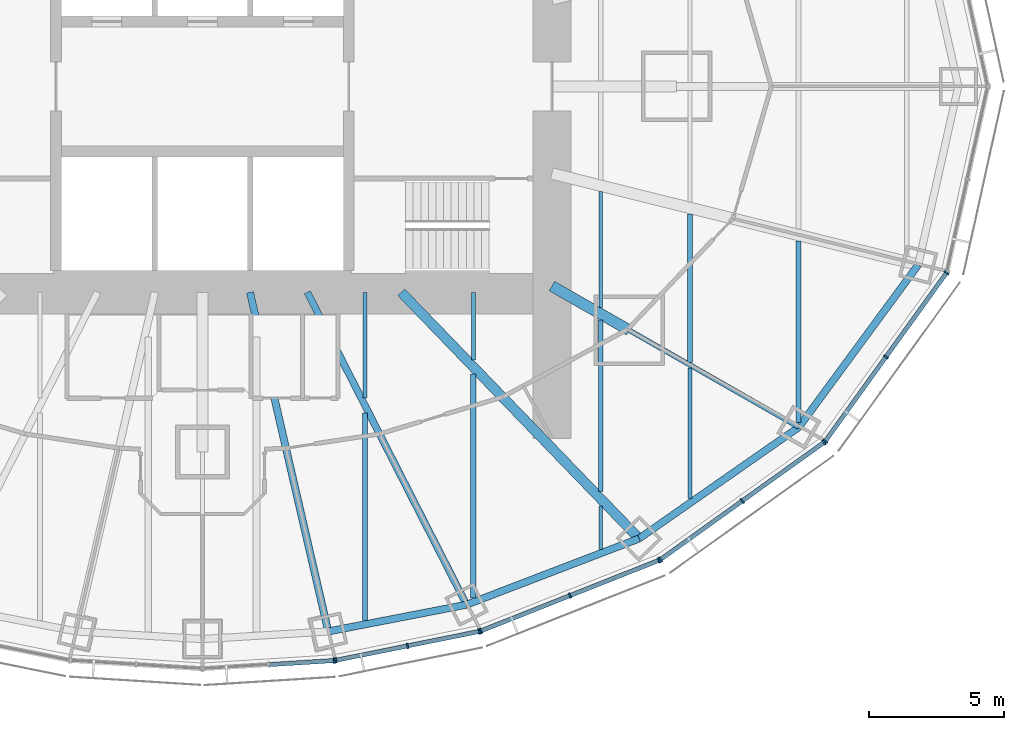
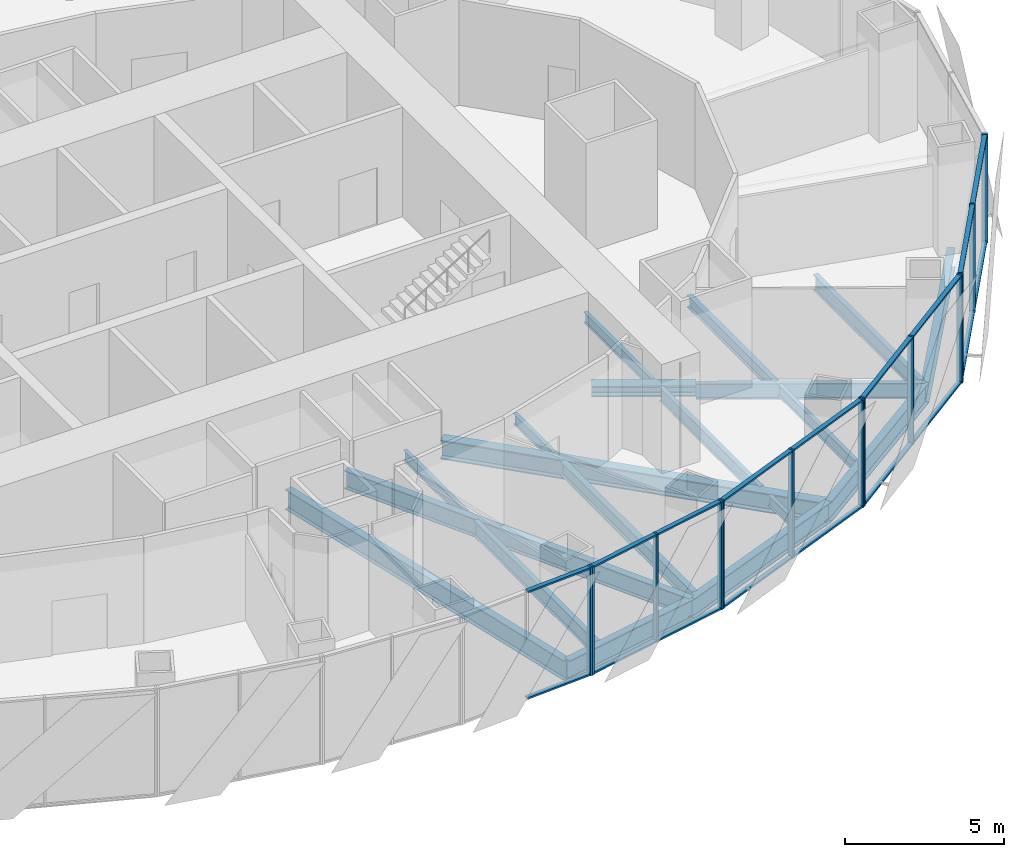
# One storey, part 5 of 18: 31 members, 19 beams, 5 elements without a shape of their own.
"""IFC4 building model written with IfcOpenShell, lengths in metres."""

from ifc_helpers import new_model, si_unit, direction, frame, origin, origin_2d, place, context, subcontext, project, spatial, rectangle, i_section, extrude, material, material_profile, profile_set, type_object, element, aggregate, save


model = new_model("IFC4")

# Units and contexts
model_context = context("Model", 3, precision=1e-05, world=origin(), true_north=direction((0.0, 1.0)))
body_context = subcontext(model_context, "Body", "Model", "MODEL_VIEW")
ifc_project = project(units=[si_unit("LENGTHUNIT", "METRE"), si_unit("AREAUNIT", "SQUARE_METRE"), si_unit("VOLUMEUNIT", "CUBIC_METRE"), si_unit("PLANEANGLEUNIT", "RADIAN"), si_unit("MASSUNIT", "GRAM", prefix="KILO")], contexts=[model_context])

# Site, building, storey
site_placement = place(None, origin())
site = spatial("IfcSite", under=ifc_project, at=site_placement, CompositionType="ELEMENT")
building_placement = place(site_placement, origin())
building = spatial("IfcBuilding", under=site, at=building_placement, Name="Lantaw Convention Tower", CompositionType="ELEMENT")
storey_placement = place(building_placement, frame((0.0, 0.0, 146.800048828125)))
storey = spatial("IfcBuildingStorey", under=building, at=storey_placement, Name="L34", CompositionType="ELEMENT", Elevation=146.800048828125)

# Beams
ifc_material_1 = material(Name="Steel ASTM A992", Category="steel")
ifc_material_profile_1 = material_profile(ifc_material_1, i_section(OverallWidth=0.2666015625, OverallDepth=0.76953125, WebThickness=0.015625, FlangeThickness=0.025390625, FilletRadius=0.0126953125, at=origin_2d()), Name="W30X132")
ifc_profile_set_1 = profile_set([ifc_material_profile_1], Name="Steel ASTM A992")
beam_type_1 = type_object("IfcBeamType", Name="Beam E W30X132", PredefinedType="SPANDREL", material=ifc_profile_set_1)
beam_1_placement = place(storey_placement, frame((4.64501953125, -20.1201171875, -0.534912109375), z_axis=(0.981796805654, 0.189934284446, 0.0), x_axis=(-0.189934284446, 0.981796805654, 0.0)))
element("IfcBeam", 1, at=beam_1_placement, inside=storey, type_object=beam_type_1, Name="Edge beam 20", PredefinedType="SPANDREL", context=body_context, shape_type="SweptSolid", body=[
    extrude(i_section(OverallWidth=0.2666015625, OverallDepth=0.76953125, WebThickness=0.015625, FlangeThickness=0.025390625, FilletRadius=0.0126953125, at=origin_2d()), origin(), (0.0, 0.0, 1.0), 5.1982421875),
])
beam_2_placement = place(storey_placement, frame((9.74853515625, -19.1328125, -0.534912109375), z_axis=(0.933691081977, 0.358079549033, 0.0), x_axis=(-0.358079549033, 0.933691081977, 0.0)))
element("IfcBeam", 2, at=beam_2_placement, inside=storey, type_object=beam_type_1, Name="Edge beam 21", PredefinedType="SPANDREL", context=body_context, shape_type="SweptSolid", body=[
    extrude(i_section(OverallWidth=0.2666015625, OverallDepth=0.76953125, WebThickness=0.015625, FlangeThickness=0.025390625, FilletRadius=0.0126953125, at=origin_2d()), origin(), (0.0, 0.0, 1.0), 6.821533203125),
])
beam_3_placement = place(storey_placement, frame((16.11767578125, -16.690185546875, -0.534912109375), z_axis=(0.820310765287, 0.57191804339, 0.0), x_axis=(-0.57191804339, 0.820310765287, 0.0)))
element("IfcBeam", 3, at=beam_3_placement, inside=storey, type_object=beam_type_1, Name="Edge beam 22", PredefinedType="SPANDREL", context=body_context, shape_type="SweptSolid", body=[
    extrude(i_section(OverallWidth=0.2666015625, OverallDepth=0.76953125, WebThickness=0.015625, FlangeThickness=0.025390625, FilletRadius=0.0126953125, at=origin_2d()), origin(), (0.0, 0.0, 1.0), 7.187744140625),
])
beam_4_placement = place(storey_placement, frame((22.013916015625, -12.579345703125, -0.534912109375), z_axis=(0.5923891972, 0.805651934176, 0.0), x_axis=(-0.805651934176, 0.5923891972, 0.0)))
element("IfcBeam", 4, at=beam_4_placement, inside=storey, type_object=beam_type_1, Name="Edge beam 23", PredefinedType="SPANDREL", context=body_context, shape_type="SweptSolid", body=[
    extrude(i_section(OverallWidth=0.2666015625, OverallDepth=0.76953125, WebThickness=0.015625, FlangeThickness=0.025390625, FilletRadius=0.0126953125, at=origin_2d()), origin(), (0.0, 0.0, 1.0), 7.437744140625),
])
ifc_material_profile_2 = material_profile(ifc_material_1, i_section(OverallWidth=0.177978515625, OverallDepth=0.599365234375, WebThickness=0.010009765625, FlangeThickness=0.012939453125, FilletRadius=0.012939453125, at=origin_2d()), Name="W24X55")
ifc_profile_set_2 = profile_set([ifc_material_profile_2], Name="Steel ASTM A992")
beam_type_2 = type_object("IfcBeamType", Name="Beam G W24X55", PredefinedType="BEAM", material=ifc_profile_set_2)
beam_5_placement = place(storey_placement, frame((15.75, -9.0, -0.44970703125), z_axis=(0.868245224608, -0.496135293993, 0.0), x_axis=(0.496135293993, 0.868245224608, 0.0)))
element("IfcBeam", 5, at=beam_5_placement, inside=storey, type_object=beam_type_2, Name="Floor girder on ray 23", PredefinedType="BEAM", context=body_context, shape_type="SweptSolid", body=[
    extrude(i_section(OverallWidth=0.177978515625, OverallDepth=0.599365234375, WebThickness=0.010009765625, FlangeThickness=0.012939453125, FilletRadius=0.012939453125, at=origin_2d()), origin(), (0.0, 0.0, 1.0), 7.21435546875),
])
ifc_material_profile_3 = material_profile(ifc_material_1, i_section(OverallWidth=0.25390625, OverallDepth=0.700927734375, WebThickness=0.015380859375, FlangeThickness=0.02783203125, FilletRadius=0.01513671875, at=origin_2d()), Name="W27X129")
ifc_profile_set_3 = profile_set([ifc_material_profile_3], Name="Steel ASTM A992")
beam_type_3 = type_object("IfcBeamType", Name="Beam G W27X129", PredefinedType="BEAM", material=ifc_profile_set_3)
beam_6_placement = place(storey_placement, frame((3.872314453125, -7.60009765625, -0.50048828125), z_axis=(0.453991051051, -0.891006243281, 0.0), x_axis=(0.891006243281, 0.453991051051, 0.0)))
element("IfcBeam", 6, at=beam_6_placement, inside=storey, type_object=beam_type_3, Name="Floor girder on ray 21", PredefinedType="BEAM", context=body_context, shape_type="SweptSolid", body=[
    extrude(i_section(OverallWidth=0.25390625, OverallDepth=0.700927734375, WebThickness=0.015380859375, FlangeThickness=0.02783203125, FilletRadius=0.01513671875, at=origin_2d()), origin(), (0.0, 0.0, 1.0), 12.943359375),
])
ifc_material_profile_4 = material_profile(ifc_material_1, i_section(OverallWidth=0.360595703125, OverallDepth=0.72900390625, WebThickness=0.023193359375, FlangeThickness=0.041015625, FilletRadius=0.0126953125, at=origin_2d()), Name="W27X235")
ifc_profile_set_4 = profile_set([ifc_material_profile_4], Name="Steel ASTM A992")
beam_type_4 = type_object("IfcBeamType", Name="Beam G W27X235", PredefinedType="BEAM", material=ifc_profile_set_4)
beam_7_placement = place(storey_placement, frame((7.33935546875, -7.60009765625, -0.5146484375), z_axis=(0.694663467407, -0.719334878239, 0.0), x_axis=(0.719334878239, 0.694663467407, 0.0)))
element("IfcBeam", 7, at=beam_7_placement, inside=storey, type_object=beam_type_4, Name="Floor girder on ray 22", PredefinedType="BEAM", context=body_context, shape_type="SweptSolid", body=[
    extrude(i_section(OverallWidth=0.360595703125, OverallDepth=0.72900390625, WebThickness=0.023193359375, FlangeThickness=0.041015625, FilletRadius=0.0126953125, at=origin_2d()), origin(), (0.0, 0.0, 1.0), 12.63671875),
])
ifc_material_profile_5 = material_profile(ifc_material_1, i_section(OverallWidth=0.2666015625, OverallDepth=0.7568359375, WebThickness=0.013916015625, FlangeThickness=0.019287109375, FilletRadius=0.0126953125, at=origin_2d()), Name="W30X108")
ifc_profile_set_5 = profile_set([ifc_material_profile_5], Name="Steel ASTM A992")
beam_type_5 = type_object("IfcBeamType", Name="Beam G W30X108", PredefinedType="BEAM", material=ifc_profile_set_5)
beam_8_placement = place(storey_placement, frame((1.754638671875, -7.60009765625, -0.528564453125), z_axis=(0.224944153104, -0.974371658036, 0.0), x_axis=(0.974371658036, 0.224944153104, 0.0)))
element("IfcBeam", 8, at=beam_8_placement, inside=storey, type_object=beam_type_5, Name="Floor girder on ray 20", PredefinedType="BEAM", context=body_context, shape_type="SweptSolid", body=[
    extrude(i_section(OverallWidth=0.2666015625, OverallDepth=0.7568359375, WebThickness=0.013916015625, FlangeThickness=0.019287109375, FilletRadius=0.0126953125, at=origin_2d()), origin(), (0.0, 0.0, 1.0), 12.849365234375),
])
ifc_material_profile_6 = material_profile(ifc_material_1, i_section(OverallWidth=0.40380859375, OverallDepth=0.406494140625, WebThickness=0.027099609375, FlangeThickness=0.043701171875, FilletRadius=0.01513671875, at=origin_2d()), Name="W14X233")
ifc_profile_set_6 = profile_set([ifc_material_profile_6], Name="Steel ASTM A992")
beam_type_6 = type_object("IfcBeamType", Name="Beam GM W14X233", PredefinedType="BEAM", material=ifc_profile_set_6)
beam_9_placement = place(storey_placement, frame((12.89990234375, -7.371337890625, -0.353271484375), z_axis=(0.868238565244, -0.496146947811, 0.0), x_axis=(0.496146947811, 0.868238565244, 0.0)))
element("IfcBeam", 9, at=beam_9_placement, inside=storey, type_object=beam_type_6, Name="Core link beam on ray 23", PredefinedType="BEAM", context=body_context, shape_type="SweptSolid", body=[
    extrude(i_section(OverallWidth=0.40380859375, OverallDepth=0.406494140625, WebThickness=0.027099609375, FlangeThickness=0.043701171875, FilletRadius=0.01513671875, at=origin_2d()), origin(), (0.0, 0.0, 1.0), 3.28271484375),
])
ifc_material_profile_7 = material_profile(ifc_material_1, i_section(OverallWidth=0.140380859375, OverallDepth=0.40380859375, WebThickness=0.007080078125, FlangeThickness=0.01123046875, FilletRadius=0.01025390625, at=origin_2d()), Name="W16X31")
ifc_profile_set_7 = profile_set([ifc_material_profile_7], Name="Steel ASTM A992")
beam_type_7 = type_object("IfcBeamType", Name="Beam J W16X31", PredefinedType="JOIST", material=ifc_profile_set_7)
beam_10_placement = place(storey_placement, frame((6.0, -11.495849609375, -0.35205078125), z_axis=(0.0, 1.0, 0.0), x_axis=(-1.0, 0.0, 0.0)))
element("IfcBeam", 10, at=beam_10_placement, inside=storey, type_object=beam_type_7, Name="Floor joist", PredefinedType="JOIST", context=body_context, shape_type="SweptSolid", body=[
    extrude(i_section(OverallWidth=0.140380859375, OverallDepth=0.40380859375, WebThickness=0.007080078125, FlangeThickness=0.01123046875, FilletRadius=0.01025390625, at=origin_2d()), origin(), (0.0, 0.0, 1.0), 3.895751953125),
])
beam_11_placement = place(storey_placement, frame((10.0, -10.095703125, -0.35205078125), z_axis=(0.0, 1.0, 0.0), x_axis=(-1.0, 0.0, 0.0)))
element("IfcBeam", 11, at=beam_11_placement, inside=storey, type_object=beam_type_7, Name="Floor joist", PredefinedType="JOIST", context=body_context, shape_type="SweptSolid", body=[
    extrude(i_section(OverallWidth=0.140380859375, OverallDepth=0.40380859375, WebThickness=0.007080078125, FlangeThickness=0.01123046875, FilletRadius=0.01025390625, at=origin_2d()), origin(), (0.0, 0.0, 1.0), 2.49560546875),
])
beam_12_placement = place(storey_placement, frame((14.699951171875, -17.091064453125, -0.35205078125), z_axis=(0.0, 1.0, 0.0), x_axis=(-1.0, 0.0, 0.0)))
element("IfcBeam", 12, at=beam_12_placement, inside=storey, type_object=beam_type_7, Name="Floor joist", PredefinedType="JOIST", context=body_context, shape_type="SweptSolid", body=[
    extrude(i_section(OverallWidth=0.140380859375, OverallDepth=0.40380859375, WebThickness=0.007080078125, FlangeThickness=0.01123046875, FilletRadius=0.01025390625, at=origin_2d()), origin(), (0.0, 0.0, 1.0), 1.609130859375),
])
beam_13_placement = place(storey_placement, frame((14.699951171875, -8.16748046875, -0.35205078125), z_axis=(0.0, 1.0, 0.0), x_axis=(-1.0, 0.0, 0.0)))
element("IfcBeam", 13, at=beam_13_placement, inside=storey, type_object=beam_type_7, Name="Floor joist", PredefinedType="JOIST", context=body_context, shape_type="SweptSolid", body=[
    extrude(i_section(OverallWidth=0.140380859375, OverallDepth=0.40380859375, WebThickness=0.007080078125, FlangeThickness=0.01123046875, FilletRadius=0.01025390625, at=origin_2d()), origin(), (0.0, 0.0, 1.0), 4.28515625),
])
ifc_material_profile_8 = material_profile(ifc_material_1, i_section(OverallWidth=0.15234375, OverallDepth=0.449462890625, WebThickness=0.007568359375, FlangeThickness=0.0107421875, FilletRadius=0.01025390625, at=origin_2d()), Name="W18X35")
ifc_profile_set_8 = profile_set([ifc_material_profile_8], Name="Steel ASTM A992")
beam_type_8 = type_object("IfcBeamType", Name="Beam J W18X35", PredefinedType="JOIST", material=ifc_profile_set_8)
beam_14_placement = place(storey_placement, frame((18.0, -15.21533203125, -0.374755859375), z_axis=(0.0, 1.0, 0.0), x_axis=(-1.0, 0.0, 0.0)))
element("IfcBeam", 14, at=beam_14_placement, inside=storey, type_object=beam_type_8, Name="Floor joist", PredefinedType="JOIST", context=body_context, shape_type="SweptSolid", body=[
    extrude(i_section(OverallWidth=0.15234375, OverallDepth=0.449462890625, WebThickness=0.007568359375, FlangeThickness=0.0107421875, FilletRadius=0.01025390625, at=origin_2d()), origin(), (0.0, 0.0, 1.0), 4.8271484375),
])
ifc_material_profile_9 = material_profile(ifc_material_1, i_section(OverallWidth=0.1904296875, OverallDepth=0.457275390625, WebThickness=0.009033203125, FlangeThickness=0.014404296875, FilletRadius=0.01025390625, at=origin_2d()), Name="W18X50")
ifc_profile_set_9 = profile_set([ifc_material_profile_9], Name="Steel ASTM A992")
beam_type_9 = type_object("IfcBeamType", Name="Beam J W18X50", PredefinedType="JOIST", material=ifc_profile_set_9)
beam_15_placement = place(storey_placement, frame((18.0, -10.18310546875, -0.378662109375), z_axis=(0.0, 1.0, 0.0), x_axis=(-1.0, 0.0, 0.0)))
element("IfcBeam", 15, at=beam_15_placement, inside=storey, type_object=beam_type_9, Name="Floor joist", PredefinedType="JOIST", context=body_context, shape_type="SweptSolid", body=[
    extrude(i_section(OverallWidth=0.1904296875, OverallDepth=0.457275390625, WebThickness=0.009033203125, FlangeThickness=0.014404296875, FilletRadius=0.01025390625, at=origin_2d()), origin(), (0.0, 0.0, 1.0), 5.47802734375),
])
ifc_material_profile_10 = material_profile(ifc_material_1, i_section(OverallWidth=0.1650390625, OverallDepth=0.52587890625, WebThickness=0.0087890625, FlangeThickness=0.011474609375, FilletRadius=0.0126953125, at=origin_2d()), Name="W21X44")
ifc_profile_set_10 = profile_set([ifc_material_profile_10], Name="Steel ASTM A992")
beam_type_10 = type_object("IfcBeamType", Name="Beam J W21X44", PredefinedType="JOIST", material=ifc_profile_set_10)
beam_16_placement = place(storey_placement, frame((14.699951171875, -14.962646484375, -0.412841796875), z_axis=(0.0, 1.0, 0.0), x_axis=(-1.0, 0.0, 0.0)))
element("IfcBeam", 16, at=beam_16_placement, inside=storey, type_object=beam_type_10, Name="Floor joist", PredefinedType="JOIST", context=body_context, shape_type="SweptSolid", body=[
    extrude(i_section(OverallWidth=0.1650390625, OverallDepth=0.52587890625, WebThickness=0.0087890625, FlangeThickness=0.011474609375, FilletRadius=0.0126953125, at=origin_2d()), origin(), (0.0, 0.0, 1.0), 6.330078125),
])
ifc_material_profile_11 = material_profile(ifc_material_1, i_section(OverallWidth=0.2099609375, OverallDepth=0.535888671875, WebThickness=0.010986328125, FlangeThickness=0.017333984375, FilletRadius=0.012939453125, at=origin_2d()), Name="W21X68")
ifc_profile_set_11 = profile_set([ifc_material_profile_11], Name="Steel ASTM A992")
beam_type_11 = type_object("IfcBeamType", Name="Beam J W21X68", PredefinedType="JOIST", material=ifc_profile_set_11)
beam_17_placement = place(storey_placement, frame((10.0, -18.8935546875, -0.41796875), z_axis=(0.0, 1.0, 0.0), x_axis=(-1.0, 0.0, 0.0)))
element("IfcBeam", 17, at=beam_17_placement, inside=storey, type_object=beam_type_11, Name="Floor joist", PredefinedType="JOIST", context=body_context, shape_type="SweptSolid", body=[
    extrude(i_section(OverallWidth=0.2099609375, OverallDepth=0.535888671875, WebThickness=0.010986328125, FlangeThickness=0.017333984375, FilletRadius=0.012939453125, at=origin_2d()), origin(), (0.0, 0.0, 1.0), 8.278564453125),
])
ifc_material_profile_12 = material_profile(ifc_material_1, i_section(OverallWidth=0.177978515625, OverallDepth=0.599365234375, WebThickness=0.010009765625, FlangeThickness=0.012939453125, FilletRadius=0.012939453125, at=origin_2d()), Name="W24X55")
ifc_profile_set_12 = profile_set([ifc_material_profile_12], Name="Steel ASTM A992")
beam_type_12 = type_object("IfcBeamType", Name="Beam J W24X55", PredefinedType="JOIST", material=ifc_profile_set_12)
beam_18_placement = place(storey_placement, frame((6.0, -19.72216796875, -0.44970703125), z_axis=(0.0, 1.0, 0.0), x_axis=(-1.0, 0.0, 0.0)))
element("IfcBeam", 18, at=beam_18_placement, inside=storey, type_object=beam_type_12, Name="Floor joist", PredefinedType="JOIST", context=body_context, shape_type="SweptSolid", body=[
    extrude(i_section(OverallWidth=0.177978515625, OverallDepth=0.599365234375, WebThickness=0.010009765625, FlangeThickness=0.012939453125, FilletRadius=0.012939453125, at=origin_2d()), origin(), (0.0, 0.0, 1.0), 7.666748046875),
])
beam_19_placement = place(storey_placement, frame((22.0, -12.408935546875, -0.44970703125), z_axis=(0.0, 1.0, 0.0), x_axis=(-1.0, 0.0, 0.0)))
element("IfcBeam", 19, at=beam_19_placement, inside=storey, type_object=beam_type_12, Name="Floor joist", PredefinedType="JOIST", context=body_context, shape_type="SweptSolid", body=[
    extrude(i_section(OverallWidth=0.177978515625, OverallDepth=0.599365234375, WebThickness=0.010009765625, FlangeThickness=0.012939453125, FilletRadius=0.012939453125, at=origin_2d()), origin(), (0.0, 0.0, 1.0), 6.70654296875),
])

# Curtain wall, member
ifc_material_2 = material(Name="Aluminium framed curtain wall", Category="aluminium")
curtain_wall_type = type_object("IfcCurtainWallType", Name="Office curtain wall low rise, pale aluminium", PredefinedType="USERDEFINED", material=ifc_material_2)
curtain_wall_1_placement = place(storey_placement, origin())
curtain_wall_1 = element("IfcCurtainWall", 20, at=curtain_wall_1_placement, inside=storey, type_object=curtain_wall_type, Name="Office curtain wall low rise, pale aluminium L34", ObjectType="UNITISED CURTAIN WALL", PredefinedType="USERDEFINED")
ifc_material_3 = material(Name="Aluminium 6063-T6", Category="aluminium")
ifc_material_profile_13 = material_profile(ifc_material_3, rectangle(XDim=0.199951171875, YDim=0.06494140625, at=origin_2d()), Name="CW-O1 mullion 65x200")
ifc_profile_set_13 = profile_set([ifc_material_profile_13], Name="Aluminium 6063-T6")
member_type_1 = type_object("IfcMemberType", Name="CW-O1 mullion 65x200", PredefinedType="MULLION", material=ifc_profile_set_13)
member_1_placement = place(storey_placement, frame((4.860107421875, -21.19384765625, -0.150146484375), z_axis=(0.0, 0.0, 1.0), x_axis=(-0.062865059466, 0.998022035978, 0.0)))
member_1 = element("IfcMember", 21, at=member_1_placement, type_object=member_type_1, Name="CW-O1 mullion 3", PredefinedType="MULLION", context=body_context, shape_type="SweptSolid", body=[
    extrude(rectangle(XDim=0.199951171875, YDim=0.06494140625, at=origin_2d()), origin(), (0.0, 0.0, 1.0), 4.150146484375),
])

# Curtain wall, members
curtain_wall_2_placement = place(storey_placement, origin())
curtain_wall_2 = element("IfcCurtainWall", 22, at=curtain_wall_2_placement, inside=storey, type_object=curtain_wall_type, Name="Office curtain wall low rise, pale aluminium L34", ObjectType="UNITISED CURTAIN WALL", PredefinedType="USERDEFINED")
member_2_placement = place(storey_placement, frame((4.92431640625, -21.185302734375, -0.150146484375), z_axis=(0.0, 0.0, 1.0), x_axis=(-0.197506809659, 0.980301514912, 0.0)))
member_2 = element("IfcMember", 23, at=member_2_placement, type_object=member_type_1, Name="CW-O1 mullion 1", PredefinedType="MULLION", context=body_context, shape_type="SweptSolid", body=[
    extrude(rectangle(XDim=0.199951171875, YDim=0.06494140625, at=origin_2d()), origin(), (0.0, 0.0, 1.0), 4.150146484375),
])
member_3_placement = place(storey_placement, frame((7.5703125, -20.65234375, -0.150146484375), z_axis=(0.0, 0.0, 1.0), x_axis=(-0.197506809659, 0.980301514912, 0.0)))
member_3 = element("IfcMember", 24, at=member_3_placement, type_object=member_type_1, Name="CW-O1 mullion 2", PredefinedType="MULLION", context=body_context, shape_type="SweptSolid", body=[
    extrude(rectangle(XDim=0.199951171875, YDim=0.06494140625, at=origin_2d()), origin(), (0.0, 0.0, 1.0), 4.150146484375),
])
member_4_placement = place(storey_placement, frame((10.216064453125, -20.119140625, -0.150146484375), z_axis=(0.0, 0.0, 1.0), x_axis=(-0.197506809659, 0.980301514912, 0.0)))
member_4 = element("IfcMember", 25, at=member_4_placement, type_object=member_type_1, Name="CW-O1 mullion 3", PredefinedType="MULLION", context=body_context, shape_type="SweptSolid", body=[
    extrude(rectangle(XDim=0.199951171875, YDim=0.06494140625, at=origin_2d()), origin(), (0.0, 0.0, 1.0), 4.150146484375),
])

curtain_wall_3_placement = place(storey_placement, origin())
curtain_wall_3 = element("IfcCurtainWall", 26, at=curtain_wall_3_placement, inside=storey, type_object=curtain_wall_type, Name="Office curtain wall low rise, pale aluminium L34", ObjectType="UNITISED CURTAIN WALL", PredefinedType="USERDEFINED")
member_5_placement = place(storey_placement, frame((10.2783203125, -20.100830078125, -0.150146484375), z_axis=(0.0, 0.0, 1.0), x_axis=(-0.368701907483, 0.929547687544, 0.0)))
member_5 = element("IfcMember", 27, at=member_5_placement, type_object=member_type_1, Name="CW-O1 mullion 1", PredefinedType="MULLION", context=body_context, shape_type="SweptSolid", body=[
    extrude(rectangle(XDim=0.199951171875, YDim=0.06494140625, at=origin_2d()), origin(), (0.0, 0.0, 1.0), 4.150146484375),
])
member_6_placement = place(storey_placement, frame((13.56494140625, -18.797119140625, -0.150146484375), z_axis=(0.0, 0.0, 1.0), x_axis=(-0.368701907483, 0.929547687544, 0.0)))
member_6 = element("IfcMember", 28, at=member_6_placement, type_object=member_type_1, Name="CW-O1 mullion 2", PredefinedType="MULLION", context=body_context, shape_type="SweptSolid", body=[
    extrude(rectangle(XDim=0.199951171875, YDim=0.06494140625, at=origin_2d()), origin(), (0.0, 0.0, 1.0), 4.150146484375),
])
member_7_placement = place(storey_placement, frame((16.8515625, -17.49365234375, -0.150146484375), z_axis=(0.0, 0.0, 1.0), x_axis=(-0.368701907483, 0.929547687544, 0.0)))
member_7 = element("IfcMember", 29, at=member_7_placement, type_object=member_type_1, Name="CW-O1 mullion 3", PredefinedType="MULLION", context=body_context, shape_type="SweptSolid", body=[
    extrude(rectangle(XDim=0.199951171875, YDim=0.06494140625, at=origin_2d()), origin(), (0.0, 0.0, 1.0), 4.150146484375),
])

curtain_wall_4_placement = place(storey_placement, origin())
curtain_wall_4 = element("IfcCurtainWall", 30, at=curtain_wall_4_placement, inside=storey, type_object=curtain_wall_type, Name="Office curtain wall low rise, pale aluminium L34", ObjectType="UNITISED CURTAIN WALL", PredefinedType="USERDEFINED")
member_8_placement = place(storey_placement, frame((16.908203125, -17.462646484375, -0.150146484375), z_axis=(0.0, 0.0, 1.0), x_axis=(-0.581972695693, 0.813208325995, 0.0)))
member_8 = element("IfcMember", 31, at=member_8_placement, type_object=member_type_1, Name="CW-O1 mullion 1", PredefinedType="MULLION", context=body_context, shape_type="SweptSolid", body=[
    extrude(rectangle(XDim=0.199951171875, YDim=0.06494140625, at=origin_2d()), origin(), (0.0, 0.0, 1.0), 4.150146484375),
])
member_9_placement = place(storey_placement, frame((19.92529296875, -15.303466796875, -0.150146484375), z_axis=(0.0, 0.0, 1.0), x_axis=(-0.581972695693, 0.813208325995, 0.0)))
member_9 = element("IfcMember", 32, at=member_9_placement, type_object=member_type_1, Name="CW-O1 mullion 2", PredefinedType="MULLION", context=body_context, shape_type="SweptSolid", body=[
    extrude(rectangle(XDim=0.199951171875, YDim=0.06494140625, at=origin_2d()), origin(), (0.0, 0.0, 1.0), 4.150146484375),
])
member_10_placement = place(storey_placement, frame((22.942626953125, -13.14404296875, -0.150146484375), z_axis=(0.0, 0.0, 1.0), x_axis=(-0.581972695693, 0.813208325995, 0.0)))
member_10 = element("IfcMember", 33, at=member_10_placement, type_object=member_type_1, Name="CW-O1 mullion 3", PredefinedType="MULLION", context=body_context, shape_type="SweptSolid", body=[
    extrude(rectangle(XDim=0.199951171875, YDim=0.06494140625, at=origin_2d()), origin(), (0.0, 0.0, 1.0), 4.150146484375),
])

curtain_wall_5_placement = place(storey_placement, origin())
curtain_wall_5 = element("IfcCurtainWall", 34, at=curtain_wall_5_placement, inside=storey, type_object=curtain_wall_type, Name="Office curtain wall low rise, pale aluminium L34", ObjectType="UNITISED CURTAIN WALL", PredefinedType="USERDEFINED")
member_11_placement = place(storey_placement, frame((22.988037109375, -13.098876953125, -0.150146484375), z_axis=(0.0, 0.0, 1.0), x_axis=(-0.811384633629, 0.584512597221, 0.0)))
member_11 = element("IfcMember", 35, at=member_11_placement, type_object=member_type_1, Name="CW-O1 mullion 1", PredefinedType="MULLION", context=body_context, shape_type="SweptSolid", body=[
    extrude(rectangle(XDim=0.199951171875, YDim=0.06494140625, at=origin_2d()), origin(), (0.0, 0.0, 1.0), 4.150146484375),
])
member_12_placement = place(storey_placement, frame((25.22802734375, -9.9892578125, -0.150146484375), z_axis=(0.0, 0.0, 1.0), x_axis=(-0.811384633629, 0.584512597221, 0.0)))
member_12 = element("IfcMember", 36, at=member_12_placement, type_object=member_type_1, Name="CW-O1 mullion 2", PredefinedType="MULLION", context=body_context, shape_type="SweptSolid", body=[
    extrude(rectangle(XDim=0.199951171875, YDim=0.06494140625, at=origin_2d()), origin(), (0.0, 0.0, 1.0), 4.150146484375),
])
member_13_placement = place(storey_placement, frame((27.46826171875, -6.879638671875, -0.150146484375), z_axis=(0.0, 0.0, 1.0), x_axis=(-0.811384633629, 0.584512597221, 0.0)))
member_13 = element("IfcMember", 37, at=member_13_placement, type_object=member_type_1, Name="CW-O1 mullion 3", PredefinedType="MULLION", context=body_context, shape_type="SweptSolid", body=[
    extrude(rectangle(XDim=0.199951171875, YDim=0.06494140625, at=origin_2d()), origin(), (0.0, 0.0, 1.0), 4.150146484375),
])

# Member
ifc_material_profile_14 = material_profile(ifc_material_3, rectangle(XDim=0.159912109375, YDim=0.06494140625, at=origin_2d()), Name="CW-O1 transom 65x160")
ifc_profile_set_14 = profile_set([ifc_material_profile_14], Name="Aluminium 6063-T6")
member_type_2 = type_object("IfcMemberType", Name="CW-O1 transom 65x160", PredefinedType="USERDEFINED", material=ifc_profile_set_14)
member_14_placement = place(storey_placement, frame((2.478759765625, -21.34375, -0.117431640625), z_axis=(0.998022188463, 0.062862638625, 0.0), x_axis=(-0.062862638625, 0.998022188463, 0.0)))
member_14 = element("IfcMember", 38, at=member_14_placement, type_object=member_type_2, Name="CW-O1 transom 2.1", ObjectType="TRANSOM", PredefinedType="USERDEFINED", context=body_context, shape_type="SweptSolid", body=[
    extrude(rectangle(XDim=0.159912109375, YDim=0.06494140625, at=origin_2d()), origin(), (0.0, 0.0, 1.0), 2.353515625),
])

member_15_placement = place(storey_placement, frame((2.478759765625, -21.34375, 3.967529296875), z_axis=(0.998022188463, 0.062862638625, 0.0), x_axis=(-0.062862638625, 0.998022188463, 0.0)))
member_15 = element("IfcMember", 39, at=member_15_placement, type_object=member_type_2, Name="CW-O1 transom 2.2", ObjectType="TRANSOM", PredefinedType="USERDEFINED", context=body_context, shape_type="SweptSolid", body=[
    extrude(rectangle(XDim=0.159912109375, YDim=0.06494140625, at=origin_2d()), origin(), (0.0, 0.0, 1.0), 2.353515625),
])

aggregate(curtain_wall_1, [member_1, member_14, member_15])

member_16_placement = place(storey_placement, frame((4.956298828125, -21.178955078125, -0.117431640625), z_axis=(0.980298027092, 0.197524120247, 0.0), x_axis=(-0.197524120247, 0.980298027092, 0.0)))
member_16 = element("IfcMember", 40, at=member_16_placement, type_object=member_type_2, Name="CW-O1 transom 1.1", ObjectType="TRANSOM", PredefinedType="USERDEFINED", context=body_context, shape_type="SweptSolid", body=[
    extrude(rectangle(XDim=0.159912109375, YDim=0.06494140625, at=origin_2d()), origin(), (0.0, 0.0, 1.0), 2.634033203125),
])

member_17_placement = place(storey_placement, frame((4.956298828125, -21.178955078125, 3.967529296875), z_axis=(0.980298027092, 0.197524120247, 0.0), x_axis=(-0.197524120247, 0.980298027092, 0.0)))
member_17 = element("IfcMember", 41, at=member_17_placement, type_object=member_type_2, Name="CW-O1 transom 1.2", ObjectType="TRANSOM", PredefinedType="USERDEFINED", context=body_context, shape_type="SweptSolid", body=[
    extrude(rectangle(XDim=0.159912109375, YDim=0.06494140625, at=origin_2d()), origin(), (0.0, 0.0, 1.0), 2.634033203125),
])

member_18_placement = place(storey_placement, frame((7.60205078125, -20.64599609375, -0.117431640625), z_axis=(0.980301643003, 0.197506173891, 0.0), x_axis=(-0.197506173891, 0.980301643003, 0.0)))
member_18 = element("IfcMember", 42, at=member_18_placement, type_object=member_type_2, Name="CW-O1 transom 2.1", ObjectType="TRANSOM", PredefinedType="USERDEFINED", context=body_context, shape_type="SweptSolid", body=[
    extrude(rectangle(XDim=0.159912109375, YDim=0.06494140625, at=origin_2d()), origin(), (0.0, 0.0, 1.0), 2.63427734375),
])

member_19_placement = place(storey_placement, frame((7.60205078125, -20.64599609375, 3.967529296875), z_axis=(0.980301643003, 0.197506173891, 0.0), x_axis=(-0.197506173891, 0.980301643003, 0.0)))
member_19 = element("IfcMember", 43, at=member_19_placement, type_object=member_type_2, Name="CW-O1 transom 2.2", ObjectType="TRANSOM", PredefinedType="USERDEFINED", context=body_context, shape_type="SweptSolid", body=[
    extrude(rectangle(XDim=0.159912109375, YDim=0.06494140625, at=origin_2d()), origin(), (0.0, 0.0, 1.0), 2.63427734375),
])

aggregate(curtain_wall_2, [member_2, member_3, member_4, member_16, member_17, member_18, member_19])

member_20_placement = place(storey_placement, frame((10.308349609375, -20.0888671875, -0.117431640625), z_axis=(0.929540081544, 0.368721082668, 0.0), x_axis=(-0.368721082668, 0.929540081544, 0.0)))
member_20 = element("IfcMember", 44, at=member_20_placement, type_object=member_type_2, Name="CW-O1 transom 1.1", ObjectType="TRANSOM", PredefinedType="USERDEFINED", context=body_context, shape_type="SweptSolid", body=[
    extrude(rectangle(XDim=0.159912109375, YDim=0.06494140625, at=origin_2d()), origin(), (0.0, 0.0, 1.0), 3.470947265625),
])

member_21_placement = place(storey_placement, frame((10.308349609375, -20.0888671875, 3.967529296875), z_axis=(0.929540081544, 0.368721082668, 0.0), x_axis=(-0.368721082668, 0.929540081544, 0.0)))
member_21 = element("IfcMember", 45, at=member_21_placement, type_object=member_type_2, Name="CW-O1 transom 1.2", ObjectType="TRANSOM", PredefinedType="USERDEFINED", context=body_context, shape_type="SweptSolid", body=[
    extrude(rectangle(XDim=0.159912109375, YDim=0.06494140625, at=origin_2d()), origin(), (0.0, 0.0, 1.0), 3.470947265625),
])

member_22_placement = place(storey_placement, frame((13.594970703125, -18.78515625, -0.117431640625), z_axis=(0.929564188507, 0.368660303592, 0.0), x_axis=(-0.368660303592, 0.929564188507, 0.0)))
member_22 = element("IfcMember", 46, at=member_22_placement, type_object=member_type_2, Name="CW-O1 transom 2.1", ObjectType="TRANSOM", PredefinedType="USERDEFINED", context=body_context, shape_type="SweptSolid", body=[
    extrude(rectangle(XDim=0.159912109375, YDim=0.06494140625, at=origin_2d()), origin(), (0.0, 0.0, 1.0), 3.470703125),
])

member_23_placement = place(storey_placement, frame((13.594970703125, -18.78515625, 3.967529296875), z_axis=(0.929564188507, 0.368660303592, 0.0), x_axis=(-0.368660303592, 0.929564188507, 0.0)))
member_23 = element("IfcMember", 47, at=member_23_placement, type_object=member_type_2, Name="CW-O1 transom 2.2", ObjectType="TRANSOM", PredefinedType="USERDEFINED", context=body_context, shape_type="SweptSolid", body=[
    extrude(rectangle(XDim=0.159912109375, YDim=0.06494140625, at=origin_2d()), origin(), (0.0, 0.0, 1.0), 3.470703125),
])

aggregate(curtain_wall_3, [member_5, member_6, member_7, member_20, member_21, member_22, member_23])

member_24_placement = place(storey_placement, frame((16.9345703125, -17.44384765625, -0.117431640625), z_axis=(0.813190089133, 0.581998177777, 0.0), x_axis=(-0.581998177777, 0.813190089133, 0.0)))
member_24 = element("IfcMember", 48, at=member_24_placement, type_object=member_type_2, Name="CW-O1 transom 1.1", ObjectType="TRANSOM", PredefinedType="USERDEFINED", context=body_context, shape_type="SweptSolid", body=[
    extrude(rectangle(XDim=0.159912109375, YDim=0.06494140625, at=origin_2d()), origin(), (0.0, 0.0, 1.0), 3.645263671875),
])

member_25_placement = place(storey_placement, frame((16.9345703125, -17.44384765625, 3.967529296875), z_axis=(0.813190089133, 0.581998177777, 0.0), x_axis=(-0.581998177777, 0.813190089133, 0.0)))
member_25 = element("IfcMember", 49, at=member_25_placement, type_object=member_type_2, Name="CW-O1 transom 1.2", ObjectType="TRANSOM", PredefinedType="USERDEFINED", context=body_context, shape_type="SweptSolid", body=[
    extrude(rectangle(XDim=0.159912109375, YDim=0.06494140625, at=origin_2d()), origin(), (0.0, 0.0, 1.0), 3.645263671875),
])

member_26_placement = place(storey_placement, frame((19.951904296875, -15.284423828125, -0.117431640625), z_axis=(0.813221785972, 0.581953887194, 0.0), x_axis=(-0.581953887194, 0.813221785972, 0.0)))
member_26 = element("IfcMember", 50, at=member_26_placement, type_object=member_type_2, Name="CW-O1 transom 2.1", ObjectType="TRANSOM", PredefinedType="USERDEFINED", context=body_context, shape_type="SweptSolid", body=[
    extrude(rectangle(XDim=0.159912109375, YDim=0.06494140625, at=origin_2d()), origin(), (0.0, 0.0, 1.0), 3.645263671875),
])

member_27_placement = place(storey_placement, frame((19.951904296875, -15.284423828125, 3.967529296875), z_axis=(0.813221785972, 0.581953887194, 0.0), x_axis=(-0.581953887194, 0.813221785972, 0.0)))
member_27 = element("IfcMember", 51, at=member_27_placement, type_object=member_type_2, Name="CW-O1 transom 2.2", ObjectType="TRANSOM", PredefinedType="USERDEFINED", context=body_context, shape_type="SweptSolid", body=[
    extrude(rectangle(XDim=0.159912109375, YDim=0.06494140625, at=origin_2d()), origin(), (0.0, 0.0, 1.0), 3.645263671875),
])

aggregate(curtain_wall_4, [member_8, member_9, member_10, member_24, member_25, member_26, member_27])

member_28_placement = place(storey_placement, frame((23.007080078125, -13.072509765625, -0.117431640625), z_axis=(0.584512973979, 0.811384362217, 0.0), x_axis=(-0.811384362217, 0.584512973979, 0.0)))
member_28 = element("IfcMember", 52, at=member_28_placement, type_object=member_type_2, Name="CW-O1 transom 1.1", ObjectType="TRANSOM", PredefinedType="USERDEFINED", context=body_context, shape_type="SweptSolid", body=[
    extrude(rectangle(XDim=0.159912109375, YDim=0.06494140625, at=origin_2d()), origin(), (0.0, 0.0, 1.0), 3.767578125),
])

member_29_placement = place(storey_placement, frame((23.007080078125, -13.072509765625, 3.967529296875), z_axis=(0.584512973979, 0.811384362217, 0.0), x_axis=(-0.811384362217, 0.584512973979, 0.0)))
member_29 = element("IfcMember", 53, at=member_29_placement, type_object=member_type_2, Name="CW-O1 transom 1.2", ObjectType="TRANSOM", PredefinedType="USERDEFINED", context=body_context, shape_type="SweptSolid", body=[
    extrude(rectangle(XDim=0.159912109375, YDim=0.06494140625, at=origin_2d()), origin(), (0.0, 0.0, 1.0), 3.767578125),
])

member_30_placement = place(storey_placement, frame((25.2470703125, -9.962890625, -0.117431640625), z_axis=(0.584512973979, 0.811384362217, 0.0), x_axis=(-0.811384362217, 0.584512973979, 0.0)))
member_30 = element("IfcMember", 54, at=member_30_placement, type_object=member_type_2, Name="CW-O1 transom 2.1", ObjectType="TRANSOM", PredefinedType="USERDEFINED", context=body_context, shape_type="SweptSolid", body=[
    extrude(rectangle(XDim=0.159912109375, YDim=0.06494140625, at=origin_2d()), origin(), (0.0, 0.0, 1.0), 3.767578125),
])

member_31_placement = place(storey_placement, frame((25.2470703125, -9.962890625, 3.967529296875), z_axis=(0.584512973979, 0.811384362217, 0.0), x_axis=(-0.811384362217, 0.584512973979, 0.0)))
member_31 = element("IfcMember", 55, at=member_31_placement, type_object=member_type_2, Name="CW-O1 transom 2.2", ObjectType="TRANSOM", PredefinedType="USERDEFINED", context=body_context, shape_type="SweptSolid", body=[
    extrude(rectangle(XDim=0.159912109375, YDim=0.06494140625, at=origin_2d()), origin(), (0.0, 0.0, 1.0), 3.767578125),
])

aggregate(curtain_wall_5, [member_11, member_12, member_13, member_28, member_29, member_30, member_31])

save(model, "model.ifc")
